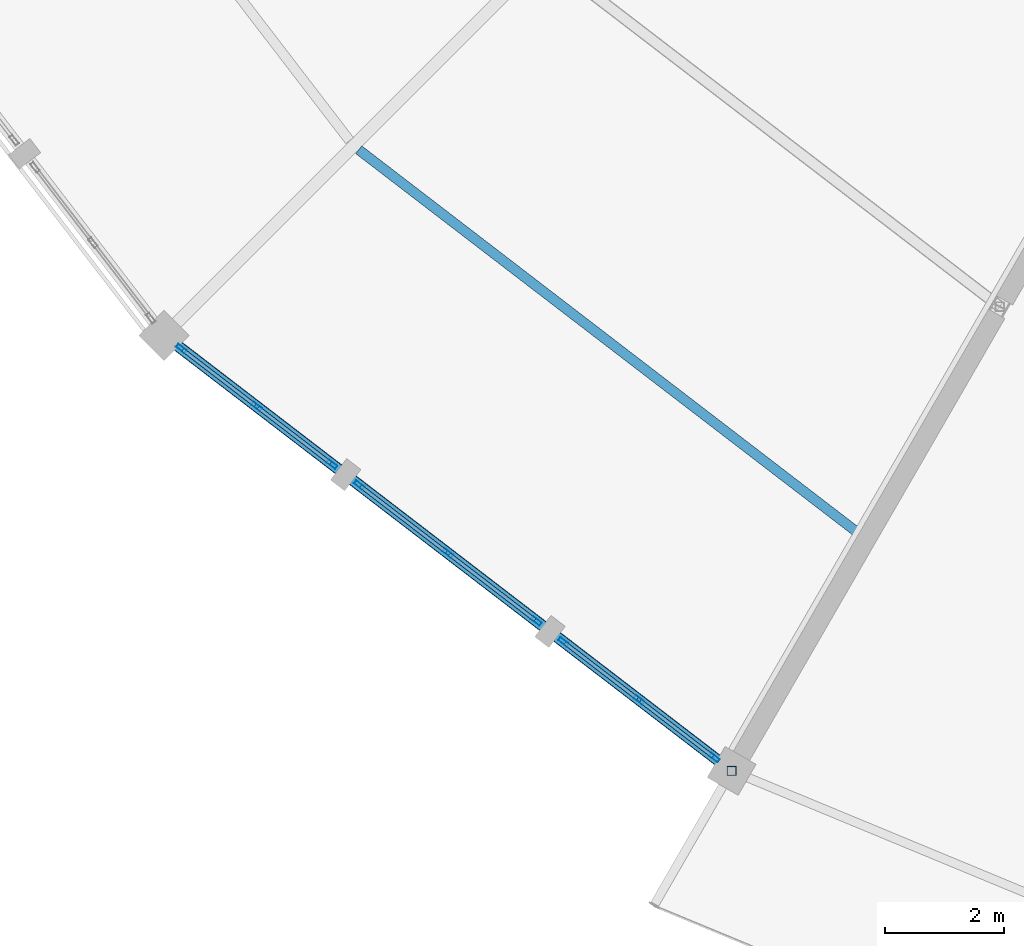
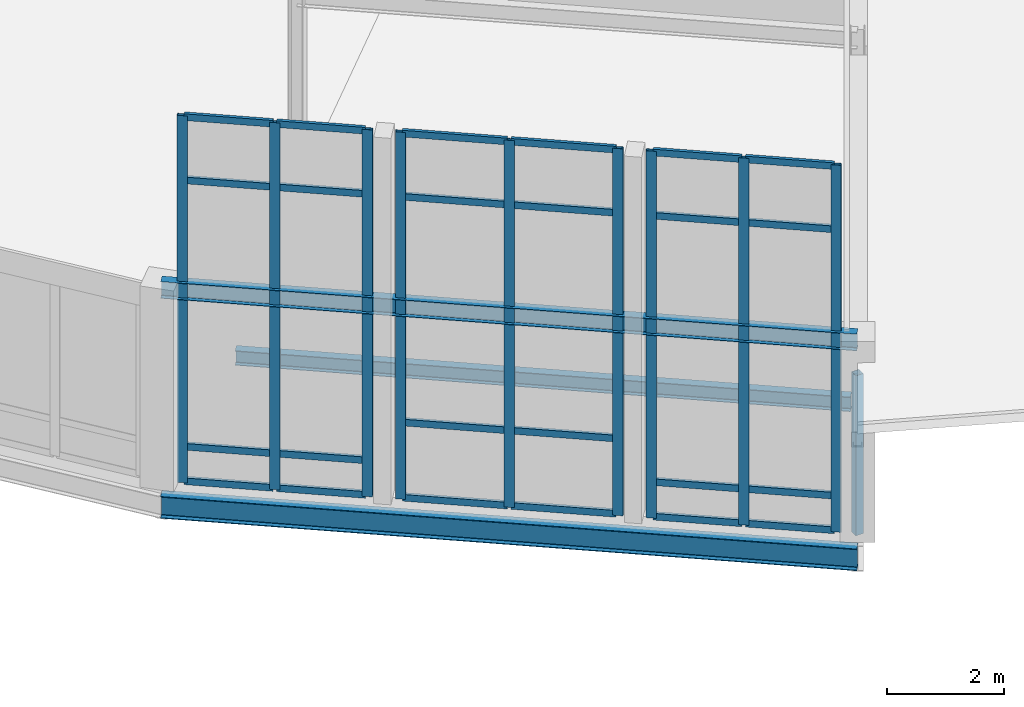
# One storey, part 43 of 185: 34 members, 3 beams, 3 elements without a shape of their own.
"""IFC4 building model written with IfcOpenShell, lengths in metres."""

from ifc_helpers import new_model, si_unit, direction, frame, origin, origin_2d, place, context, subcontext, project, spatial, hollow_rectangle, i_section, extrude, material, material_profile, profile_set, type_object, element, aggregate, save


model = new_model("IFC4")

# Units and contexts
model_context = context("Model", 3, precision=1e-05, world=origin(), true_north=direction((0.0, 1.0)))
body_context = subcontext(model_context, "Body", "Model", "MODEL_VIEW")
ifc_project = project(units=[si_unit("LENGTHUNIT", "METRE"), si_unit("AREAUNIT", "SQUARE_METRE"), si_unit("VOLUMEUNIT", "CUBIC_METRE"), si_unit("PLANEANGLEUNIT", "RADIAN"), si_unit("MASSUNIT", "GRAM", prefix="KILO")], contexts=[model_context])

# Site, building, storey
site_placement = place(None, origin())
site = spatial("IfcSite", under=ifc_project, at=site_placement, CompositionType="ELEMENT")
building_placement = place(site_placement, origin())
building = spatial("IfcBuilding", under=site, at=building_placement, Name="Vondelvale Polytechnic", CompositionType="ELEMENT")
storey_placement = place(building_placement, frame((0.0, 0.0, 9.60009765625)))
storey = spatial("IfcBuildingStorey", under=building, at=storey_placement, Name="L02", CompositionType="ELEMENT", Elevation=9.60009765625)

# Beams
ifc_material_1 = material(Name="Steel 300PLUS (fy = 300 MPa)", Category="steel")
ifc_material_profile_1 = material_profile(ifc_material_1, i_section(OverallWidth=0.1708984375, OverallDepth=0.35205078125, WebThickness=0.0068359375, FlangeThickness=0.009765625, FilletRadius=0.011474609375, at=origin_2d()), Name="360UB44.7")
ifc_profile_set_1 = profile_set([ifc_material_profile_1], Name="Steel 300PLUS (fy = 300 MPa)")
beam_type_1 = type_object("IfcBeamType", Name="BM-UB360L", PredefinedType="BEAM", material=ifc_profile_set_1)
beam_1_placement = place(storey_placement, frame((69.47314453125, 39.47314453125, 4.02392578125), z_axis=(0.793349743808, -0.608766116008, 0.0), x_axis=(0.608766116008, 0.793349743808, 0.0)))
element("IfcBeam", 1, at=beam_1_placement, inside=storey, type_object=beam_type_1, Name="L02 RE B-24", PredefinedType="BEAM", context=body_context, shape_type="SweptSolid", body=[
    extrude(i_section(OverallWidth=0.1708984375, OverallDepth=0.35205078125, WebThickness=0.0068359375, FlangeThickness=0.009765625, FilletRadius=0.011474609375, at=origin_2d()), origin(), (0.0, 0.0, 1.0), 12.00830078125),
])
ifc_material_profile_2 = material_profile(ifc_material_1, i_section(OverallWidth=0.18994140625, OverallDepth=0.45703125, WebThickness=0.009033203125, FlangeThickness=0.014404296875, FilletRadius=0.011474609375, at=origin_2d()), Name="460UB74.6")
ifc_profile_set_2 = profile_set([ifc_material_profile_2], Name="Steel 300PLUS (fy = 300 MPa)")
beam_type_2 = type_object("IfcBeamType", Name="BM-UB460", PredefinedType="BEAM", material=ifc_profile_set_2)
beam_2_placement = place(storey_placement, frame((69.47314453125, 39.47314453125, -0.508544921875), z_axis=(0.793349743808, -0.608766116008, 0.0), x_axis=(0.608766116008, 0.793349743808, 0.0)))
element("IfcBeam", 2, at=beam_2_placement, inside=storey, type_object=beam_type_2, Name="L02 RB B-13", PredefinedType="BEAM", context=body_context, shape_type="SweptSolid", body=[
    extrude(i_section(OverallWidth=0.18994140625, OverallDepth=0.45703125, WebThickness=0.009033203125, FlangeThickness=0.014404296875, FilletRadius=0.011474609375, at=origin_2d()), origin(), (0.0, 0.0, 1.0), 12.00830078125),
])

# Curtain wall, members
ifc_material_2 = material(Name="Glulam GL18 structural Tasmanian oak (fb = 42 MPa)", Category="wood")
curtain_wall_type = type_object("IfcCurtainWallType", Name="CW-RING-OUTER", PredefinedType="NOTDEFINED", material=ifc_material_2)
curtain_wall_1_placement = place(storey_placement, origin())
curtain_wall_1 = element("IfcCurtainWall", 3, at=curtain_wall_1_placement, inside=storey, type_object=curtain_wall_type, Name="L02 architectural curtain wall CW-04-322", PredefinedType="NOTDEFINED")
ifc_material_3 = material(Name="Anodised extruded aluminium 6063-T6", Category="aluminium")
ifc_material_profile_3 = material_profile(ifc_material_3, hollow_rectangle(XDim=0.06494140625, YDim=0.179931640625, WallThickness=0.00390625, at=origin_2d()), Name="CW-MUL-180x65")
ifc_profile_set_3 = profile_set([ifc_material_profile_3], Name="Anodised extruded aluminium 6063-T6")
member_type_1 = type_object("IfcMemberType", Name="CW-MUL-65x180", PredefinedType="MULLION", material=ifc_profile_set_3)
member_1_placement = place(storey_placement, frame((69.762939453125, 39.250732421875, 0.0), z_axis=(0.0, 0.0, 1.0), x_axis=(0.608786860133, 0.793333825656, 0.0)))
member_1 = element("IfcMember", 4, at=member_1_placement, type_object=member_type_1, Name="CW-04-322 mullion 1", PredefinedType="MULLION", context=body_context, shape_type="SweptSolid", body=[
    extrude(hollow_rectangle(XDim=0.06494140625, YDim=0.179931640625, WallThickness=0.00390625, at=origin_2d()), origin(), (0.0, 0.0, 1.0), 7.661376953125),
])
member_2_placement = place(storey_placement, frame((71.0283203125, 38.27978515625, 0.0), z_axis=(0.0, 0.0, 1.0), x_axis=(0.608786860133, 0.793333825656, 0.0)))
member_2 = element("IfcMember", 5, at=member_2_placement, type_object=member_type_1, Name="CW-04-322 mullion 2", PredefinedType="MULLION", context=body_context, shape_type="SweptSolid", body=[
    extrude(hollow_rectangle(XDim=0.06494140625, YDim=0.179931640625, WallThickness=0.00390625, at=origin_2d()), origin(), (0.0, 0.0, 1.0), 7.661376953125),
])
member_3_placement = place(storey_placement, frame((72.293701171875, 37.308837890625, 0.0), z_axis=(0.0, 0.0, 1.0), x_axis=(0.608786860133, 0.793333825656, 0.0)))
member_3 = element("IfcMember", 6, at=member_3_placement, type_object=member_type_1, Name="CW-04-322 mullion 3", PredefinedType="MULLION", context=body_context, shape_type="SweptSolid", body=[
    extrude(hollow_rectangle(XDim=0.06494140625, YDim=0.179931640625, WallThickness=0.00390625, at=origin_2d()), origin(), (0.0, 0.0, 1.0), 7.661376953125),
])

curtain_wall_2_placement = place(storey_placement, origin())
curtain_wall_2 = element("IfcCurtainWall", 7, at=curtain_wall_2_placement, inside=storey, type_object=curtain_wall_type, Name="L02 architectural curtain wall CW-04-323", PredefinedType="NOTDEFINED")
member_4_placement = place(storey_placement, frame((72.749755859375, 36.958740234375, 0.0), z_axis=(0.0, 0.0, 1.0), x_axis=(0.608771189063, 0.793345851043, 0.0)))
member_4 = element("IfcMember", 8, at=member_4_placement, type_object=member_type_1, Name="CW-04-323 mullion 1", PredefinedType="MULLION", context=body_context, shape_type="SweptSolid", body=[
    extrude(hollow_rectangle(XDim=0.06494140625, YDim=0.179931640625, WallThickness=0.00390625, at=origin_2d()), origin(), (0.0, 0.0, 1.0), 7.661376953125),
])
member_5_placement = place(storey_placement, frame((74.236572265625, 35.81787109375, 0.0), z_axis=(0.0, 0.0, 1.0), x_axis=(0.608771189063, 0.793345851043, 0.0)))
member_5 = element("IfcMember", 9, at=member_5_placement, type_object=member_type_1, Name="CW-04-323 mullion 2", PredefinedType="MULLION", context=body_context, shape_type="SweptSolid", body=[
    extrude(hollow_rectangle(XDim=0.06494140625, YDim=0.179931640625, WallThickness=0.00390625, at=origin_2d()), origin(), (0.0, 0.0, 1.0), 7.661376953125),
])
member_6_placement = place(storey_placement, frame((75.723388671875, 34.677001953125, 0.0), z_axis=(0.0, 0.0, 1.0), x_axis=(0.608771189063, 0.793345851043, 0.0)))
member_6 = element("IfcMember", 10, at=member_6_placement, type_object=member_type_1, Name="CW-04-323 mullion 3", PredefinedType="MULLION", context=body_context, shape_type="SweptSolid", body=[
    extrude(hollow_rectangle(XDim=0.06494140625, YDim=0.179931640625, WallThickness=0.00390625, at=origin_2d()), origin(), (0.0, 0.0, 1.0), 7.661376953125),
])

curtain_wall_3_placement = place(storey_placement, origin())
curtain_wall_3 = element("IfcCurtainWall", 11, at=curtain_wall_3_placement, inside=storey, type_object=curtain_wall_type, Name="L02 architectural curtain wall CW-04-324", PredefinedType="NOTDEFINED")
member_7_placement = place(storey_placement, frame((76.179443359375, 34.3271484375, 0.0), z_axis=(0.0, 0.0, 1.0), x_axis=(0.608786860133, 0.793333825656, 0.0)))
member_7 = element("IfcMember", 12, at=member_7_placement, type_object=member_type_1, Name="CW-04-324 mullion 1", PredefinedType="MULLION", context=body_context, shape_type="SweptSolid", body=[
    extrude(hollow_rectangle(XDim=0.06494140625, YDim=0.179931640625, WallThickness=0.00390625, at=origin_2d()), origin(), (0.0, 0.0, 1.0), 7.661376953125),
])
member_8_placement = place(storey_placement, frame((77.44482421875, 33.356201171875, 0.0), z_axis=(0.0, 0.0, 1.0), x_axis=(0.608786860133, 0.793333825656, 0.0)))
member_8 = element("IfcMember", 13, at=member_8_placement, type_object=member_type_1, Name="CW-04-324 mullion 2", PredefinedType="MULLION", context=body_context, shape_type="SweptSolid", body=[
    extrude(hollow_rectangle(XDim=0.06494140625, YDim=0.179931640625, WallThickness=0.00390625, at=origin_2d()), origin(), (0.0, 0.0, 1.0), 7.661376953125),
])
member_9_placement = place(storey_placement, frame((78.710205078125, 32.385009765625, 0.0), z_axis=(0.0, 0.0, 1.0), x_axis=(0.608786860133, 0.793333825656, 0.0)))
member_9 = element("IfcMember", 14, at=member_9_placement, type_object=member_type_1, Name="CW-04-324 mullion 3", PredefinedType="MULLION", context=body_context, shape_type="SweptSolid", body=[
    extrude(hollow_rectangle(XDim=0.06494140625, YDim=0.179931640625, WallThickness=0.00390625, at=origin_2d()), origin(), (0.0, 0.0, 1.0), 7.661376953125),
])

# Member
ifc_material_profile_4 = material_profile(ifc_material_3, hollow_rectangle(XDim=0.06005859375, YDim=0.139892578125, WallThickness=0.00341796875, at=origin_2d()), Name="CW-TRN-140x60")
ifc_profile_set_4 = profile_set([ifc_material_profile_4], Name="Anodised extruded aluminium 6063-T6")
member_type_2 = type_object("IfcMemberType", Name="CW-TRN-60x140", PredefinedType="USERDEFINED", material=ifc_profile_set_4)
member_10_placement = place(storey_placement, frame((69.78857421875, 39.23095703125, 0.02978515625), z_axis=(0.793364883229, -0.608746385664, 0.0), x_axis=(0.608746385664, 0.793364883229, 0.0)))
member_10 = element("IfcMember", 15, at=member_10_placement, type_object=member_type_2, Name="CW-04-322 transom 1.1", ObjectType="TRANSOM", PredefinedType="USERDEFINED", context=body_context, shape_type="SweptSolid", body=[
    extrude(hollow_rectangle(XDim=0.06005859375, YDim=0.139892578125, WallThickness=0.00341796875, at=origin_2d()), origin(), (0.0, 0.0, 1.0), 1.530029296875),
])

member_11_placement = place(storey_placement, frame((69.78857421875, 39.23095703125, 0.75), z_axis=(0.793364883229, -0.608746385664, 0.0), x_axis=(0.608746385664, 0.793364883229, 0.0)))
member_11 = element("IfcMember", 16, at=member_11_placement, type_object=member_type_2, Name="CW-04-322 transom 1.2", ObjectType="TRANSOM", PredefinedType="USERDEFINED", context=body_context, shape_type="SweptSolid", body=[
    extrude(hollow_rectangle(XDim=0.06005859375, YDim=0.139892578125, WallThickness=0.00341796875, at=origin_2d()), origin(), (0.0, 0.0, 1.0), 1.530029296875),
])

member_12_placement = place(storey_placement, frame((69.78857421875, 39.23095703125, 6.311279296875), z_axis=(0.793364883229, -0.608746385664, 0.0), x_axis=(0.608746385664, 0.793364883229, 0.0)))
member_12 = element("IfcMember", 17, at=member_12_placement, type_object=member_type_2, Name="CW-04-322 transom 1.3", ObjectType="TRANSOM", PredefinedType="USERDEFINED", context=body_context, shape_type="SweptSolid", body=[
    extrude(hollow_rectangle(XDim=0.06005859375, YDim=0.139892578125, WallThickness=0.00341796875, at=origin_2d()), origin(), (0.0, 0.0, 1.0), 1.530029296875),
])

member_13_placement = place(storey_placement, frame((69.78857421875, 39.23095703125, 7.63134765625), z_axis=(0.793364883229, -0.608746385664, 0.0), x_axis=(0.608746385664, 0.793364883229, 0.0)))
member_13 = element("IfcMember", 18, at=member_13_placement, type_object=member_type_2, Name="CW-04-322 transom 1.4", ObjectType="TRANSOM", PredefinedType="USERDEFINED", context=body_context, shape_type="SweptSolid", body=[
    extrude(hollow_rectangle(XDim=0.06005859375, YDim=0.139892578125, WallThickness=0.00341796875, at=origin_2d()), origin(), (0.0, 0.0, 1.0), 1.530029296875),
])

member_14_placement = place(storey_placement, frame((71.053955078125, 38.260009765625, 0.02978515625), z_axis=(0.793364883229, -0.608746385664, 0.0), x_axis=(0.608746385664, 0.793364883229, 0.0)))
member_14 = element("IfcMember", 19, at=member_14_placement, type_object=member_type_2, Name="CW-04-322 transom 2.1", ObjectType="TRANSOM", PredefinedType="USERDEFINED", context=body_context, shape_type="SweptSolid", body=[
    extrude(hollow_rectangle(XDim=0.06005859375, YDim=0.139892578125, WallThickness=0.00341796875, at=origin_2d()), origin(), (0.0, 0.0, 1.0), 1.530029296875),
])

member_15_placement = place(storey_placement, frame((71.053955078125, 38.260009765625, 0.75), z_axis=(0.793364883229, -0.608746385664, 0.0), x_axis=(0.608746385664, 0.793364883229, 0.0)))
member_15 = element("IfcMember", 20, at=member_15_placement, type_object=member_type_2, Name="CW-04-322 transom 2.2", ObjectType="TRANSOM", PredefinedType="USERDEFINED", context=body_context, shape_type="SweptSolid", body=[
    extrude(hollow_rectangle(XDim=0.06005859375, YDim=0.139892578125, WallThickness=0.00341796875, at=origin_2d()), origin(), (0.0, 0.0, 1.0), 1.530029296875),
])

member_16_placement = place(storey_placement, frame((71.053955078125, 38.260009765625, 6.311279296875), z_axis=(0.793364883229, -0.608746385664, 0.0), x_axis=(0.608746385664, 0.793364883229, 0.0)))
member_16 = element("IfcMember", 21, at=member_16_placement, type_object=member_type_2, Name="CW-04-322 transom 2.3", ObjectType="TRANSOM", PredefinedType="USERDEFINED", context=body_context, shape_type="SweptSolid", body=[
    extrude(hollow_rectangle(XDim=0.06005859375, YDim=0.139892578125, WallThickness=0.00341796875, at=origin_2d()), origin(), (0.0, 0.0, 1.0), 1.530029296875),
])

member_17_placement = place(storey_placement, frame((71.053955078125, 38.260009765625, 7.63134765625), z_axis=(0.793364883229, -0.608746385664, 0.0), x_axis=(0.608746385664, 0.793364883229, 0.0)))
member_17 = element("IfcMember", 22, at=member_17_placement, type_object=member_type_2, Name="CW-04-322 transom 2.4", ObjectType="TRANSOM", PredefinedType="USERDEFINED", context=body_context, shape_type="SweptSolid", body=[
    extrude(hollow_rectangle(XDim=0.06005859375, YDim=0.139892578125, WallThickness=0.00341796875, at=origin_2d()), origin(), (0.0, 0.0, 1.0), 1.530029296875),
])

aggregate(curtain_wall_1, [member_1, member_2, member_3, member_10, member_11, member_12, member_13, member_14, member_15, member_16, member_17])

member_18_placement = place(storey_placement, frame((72.775634765625, 36.93896484375, 0.02978515625), z_axis=(0.793310842007, -0.608816809849, 0.0), x_axis=(0.608816809849, 0.793310842007, 0.0)))
member_18 = element("IfcMember", 23, at=member_18_placement, type_object=member_type_2, Name="CW-04-323 transom 1.1", ObjectType="TRANSOM", PredefinedType="USERDEFINED", context=body_context, shape_type="SweptSolid", body=[
    extrude(hollow_rectangle(XDim=0.06005859375, YDim=0.139892578125, WallThickness=0.00341796875, at=origin_2d()), origin(), (0.0, 0.0, 1.0), 1.808837890625),
])

member_19_placement = place(storey_placement, frame((72.775634765625, 36.93896484375, 1.599853515625), z_axis=(0.793310842007, -0.608816809849, 0.0), x_axis=(0.608816809849, 0.793310842007, 0.0)))
member_19 = element("IfcMember", 24, at=member_19_placement, type_object=member_type_2, Name="CW-04-323 transom 1.2", ObjectType="TRANSOM", PredefinedType="USERDEFINED", context=body_context, shape_type="SweptSolid", body=[
    extrude(hollow_rectangle(XDim=0.06005859375, YDim=0.139892578125, WallThickness=0.00341796875, at=origin_2d()), origin(), (0.0, 0.0, 1.0), 1.808837890625),
])

member_20_placement = place(storey_placement, frame((72.775634765625, 36.93896484375, 6.311279296875), z_axis=(0.793310842007, -0.608816809849, 0.0), x_axis=(0.608816809849, 0.793310842007, 0.0)))
member_20 = element("IfcMember", 25, at=member_20_placement, type_object=member_type_2, Name="CW-04-323 transom 1.3", ObjectType="TRANSOM", PredefinedType="USERDEFINED", context=body_context, shape_type="SweptSolid", body=[
    extrude(hollow_rectangle(XDim=0.06005859375, YDim=0.139892578125, WallThickness=0.00341796875, at=origin_2d()), origin(), (0.0, 0.0, 1.0), 1.808837890625),
])

member_21_placement = place(storey_placement, frame((72.775634765625, 36.93896484375, 7.63134765625), z_axis=(0.793310842007, -0.608816809849, 0.0), x_axis=(0.608816809849, 0.793310842007, 0.0)))
member_21 = element("IfcMember", 26, at=member_21_placement, type_object=member_type_2, Name="CW-04-323 transom 1.4", ObjectType="TRANSOM", PredefinedType="USERDEFINED", context=body_context, shape_type="SweptSolid", body=[
    extrude(hollow_rectangle(XDim=0.06005859375, YDim=0.139892578125, WallThickness=0.00341796875, at=origin_2d()), origin(), (0.0, 0.0, 1.0), 1.808837890625),
])

member_22_placement = place(storey_placement, frame((74.262451171875, 35.798095703125, 0.02978515625), z_axis=(0.793310842007, -0.608816809849, 0.0), x_axis=(0.608816809849, 0.793310842007, 0.0)))
member_22 = element("IfcMember", 27, at=member_22_placement, type_object=member_type_2, Name="CW-04-323 transom 2.1", ObjectType="TRANSOM", PredefinedType="USERDEFINED", context=body_context, shape_type="SweptSolid", body=[
    extrude(hollow_rectangle(XDim=0.06005859375, YDim=0.139892578125, WallThickness=0.00341796875, at=origin_2d()), origin(), (0.0, 0.0, 1.0), 1.808837890625),
])

member_23_placement = place(storey_placement, frame((74.262451171875, 35.798095703125, 1.599853515625), z_axis=(0.793310842007, -0.608816809849, 0.0), x_axis=(0.608816809849, 0.793310842007, 0.0)))
member_23 = element("IfcMember", 28, at=member_23_placement, type_object=member_type_2, Name="CW-04-323 transom 2.2", ObjectType="TRANSOM", PredefinedType="USERDEFINED", context=body_context, shape_type="SweptSolid", body=[
    extrude(hollow_rectangle(XDim=0.06005859375, YDim=0.139892578125, WallThickness=0.00341796875, at=origin_2d()), origin(), (0.0, 0.0, 1.0), 1.808837890625),
])

member_24_placement = place(storey_placement, frame((74.262451171875, 35.798095703125, 6.311279296875), z_axis=(0.793310842007, -0.608816809849, 0.0), x_axis=(0.608816809849, 0.793310842007, 0.0)))
member_24 = element("IfcMember", 29, at=member_24_placement, type_object=member_type_2, Name="CW-04-323 transom 2.3", ObjectType="TRANSOM", PredefinedType="USERDEFINED", context=body_context, shape_type="SweptSolid", body=[
    extrude(hollow_rectangle(XDim=0.06005859375, YDim=0.139892578125, WallThickness=0.00341796875, at=origin_2d()), origin(), (0.0, 0.0, 1.0), 1.808837890625),
])

member_25_placement = place(storey_placement, frame((74.262451171875, 35.798095703125, 7.63134765625), z_axis=(0.793310842007, -0.608816809849, 0.0), x_axis=(0.608816809849, 0.793310842007, 0.0)))
member_25 = element("IfcMember", 30, at=member_25_placement, type_object=member_type_2, Name="CW-04-323 transom 2.4", ObjectType="TRANSOM", PredefinedType="USERDEFINED", context=body_context, shape_type="SweptSolid", body=[
    extrude(hollow_rectangle(XDim=0.06005859375, YDim=0.139892578125, WallThickness=0.00341796875, at=origin_2d()), origin(), (0.0, 0.0, 1.0), 1.808837890625),
])

aggregate(curtain_wall_2, [member_4, member_5, member_6, member_18, member_19, member_20, member_21, member_22, member_23, member_24, member_25])

member_26_placement = place(storey_placement, frame((76.205322265625, 34.307373046875, 0.02978515625), z_axis=(0.793305741078, -0.60882345649, 0.0), x_axis=(0.60882345649, 0.793305741078, 0.0)))
member_26 = element("IfcMember", 31, at=member_26_placement, type_object=member_type_2, Name="CW-04-324 transom 1.1", ObjectType="TRANSOM", PredefinedType="USERDEFINED", context=body_context, shape_type="SweptSolid", body=[
    extrude(hollow_rectangle(XDim=0.06005859375, YDim=0.139892578125, WallThickness=0.00341796875, at=origin_2d()), origin(), (0.0, 0.0, 1.0), 1.52978515625),
])

member_27_placement = place(storey_placement, frame((76.205322265625, 34.307373046875, 0.75), z_axis=(0.793305741078, -0.60882345649, 0.0), x_axis=(0.60882345649, 0.793305741078, 0.0)))
member_27 = element("IfcMember", 32, at=member_27_placement, type_object=member_type_2, Name="CW-04-324 transom 1.2", ObjectType="TRANSOM", PredefinedType="USERDEFINED", context=body_context, shape_type="SweptSolid", body=[
    extrude(hollow_rectangle(XDim=0.06005859375, YDim=0.139892578125, WallThickness=0.00341796875, at=origin_2d()), origin(), (0.0, 0.0, 1.0), 1.52978515625),
])

member_28_placement = place(storey_placement, frame((76.205322265625, 34.307373046875, 6.311279296875), z_axis=(0.793305741078, -0.60882345649, 0.0), x_axis=(0.60882345649, 0.793305741078, 0.0)))
member_28 = element("IfcMember", 33, at=member_28_placement, type_object=member_type_2, Name="CW-04-324 transom 1.3", ObjectType="TRANSOM", PredefinedType="USERDEFINED", context=body_context, shape_type="SweptSolid", body=[
    extrude(hollow_rectangle(XDim=0.06005859375, YDim=0.139892578125, WallThickness=0.00341796875, at=origin_2d()), origin(), (0.0, 0.0, 1.0), 1.52978515625),
])

member_29_placement = place(storey_placement, frame((76.205322265625, 34.307373046875, 7.63134765625), z_axis=(0.793305741078, -0.60882345649, 0.0), x_axis=(0.60882345649, 0.793305741078, 0.0)))
member_29 = element("IfcMember", 34, at=member_29_placement, type_object=member_type_2, Name="CW-04-324 transom 1.4", ObjectType="TRANSOM", PredefinedType="USERDEFINED", context=body_context, shape_type="SweptSolid", body=[
    extrude(hollow_rectangle(XDim=0.06005859375, YDim=0.139892578125, WallThickness=0.00341796875, at=origin_2d()), origin(), (0.0, 0.0, 1.0), 1.52978515625),
])

member_30_placement = place(storey_placement, frame((77.470703125, 33.33642578125, 0.02978515625), z_axis=(0.7932286645, -0.608923875222, 0.0), x_axis=(0.608923875222, 0.7932286645, 0.0)))
member_30 = element("IfcMember", 35, at=member_30_placement, type_object=member_type_2, Name="CW-04-324 transom 2.1", ObjectType="TRANSOM", PredefinedType="USERDEFINED", context=body_context, shape_type="SweptSolid", body=[
    extrude(hollow_rectangle(XDim=0.06005859375, YDim=0.139892578125, WallThickness=0.00341796875, at=origin_2d()), origin(), (0.0, 0.0, 1.0), 1.530029296875),
])

member_31_placement = place(storey_placement, frame((77.470703125, 33.33642578125, 0.75), z_axis=(0.7932286645, -0.608923875222, 0.0), x_axis=(0.608923875222, 0.7932286645, 0.0)))
member_31 = element("IfcMember", 36, at=member_31_placement, type_object=member_type_2, Name="CW-04-324 transom 2.2", ObjectType="TRANSOM", PredefinedType="USERDEFINED", context=body_context, shape_type="SweptSolid", body=[
    extrude(hollow_rectangle(XDim=0.06005859375, YDim=0.139892578125, WallThickness=0.00341796875, at=origin_2d()), origin(), (0.0, 0.0, 1.0), 1.530029296875),
])

member_32_placement = place(storey_placement, frame((77.470703125, 33.33642578125, 6.311279296875), z_axis=(0.7932286645, -0.608923875222, 0.0), x_axis=(0.608923875222, 0.7932286645, 0.0)))
member_32 = element("IfcMember", 37, at=member_32_placement, type_object=member_type_2, Name="CW-04-324 transom 2.3", ObjectType="TRANSOM", PredefinedType="USERDEFINED", context=body_context, shape_type="SweptSolid", body=[
    extrude(hollow_rectangle(XDim=0.06005859375, YDim=0.139892578125, WallThickness=0.00341796875, at=origin_2d()), origin(), (0.0, 0.0, 1.0), 1.530029296875),
])

member_33_placement = place(storey_placement, frame((77.470703125, 33.33642578125, 7.63134765625), z_axis=(0.7932286645, -0.608923875222, 0.0), x_axis=(0.608923875222, 0.7932286645, 0.0)))
member_33 = element("IfcMember", 38, at=member_33_placement, type_object=member_type_2, Name="CW-04-324 transom 2.4", ObjectType="TRANSOM", PredefinedType="USERDEFINED", context=body_context, shape_type="SweptSolid", body=[
    extrude(hollow_rectangle(XDim=0.06005859375, YDim=0.139892578125, WallThickness=0.00341796875, at=origin_2d()), origin(), (0.0, 0.0, 1.0), 1.530029296875),
])

aggregate(curtain_wall_3, [member_7, member_8, member_9, member_26, member_27, member_28, member_29, member_30, member_31, member_32, member_33])

# Beam
ifc_material_profile_5 = material_profile(ifc_material_1, i_section(OverallWidth=0.1650390625, OverallDepth=0.303955078125, WebThickness=0.006103515625, FlangeThickness=0.01025390625, FilletRadius=0.011474609375, at=origin_2d()), Name="310UB40.4")
ifc_profile_set_5 = profile_set([ifc_material_profile_5], Name="Steel 300PLUS (fy = 300 MPa)")
beam_type_3 = type_object("IfcBeamType", Name="JST-UB310", PredefinedType="JOIST", material=ifc_profile_set_5)
beam_3_placement = place(storey_placement, frame((72.742431640625, 42.588134765625, -0.43212890625), z_axis=(0.793346013368, -0.608770977523, 0.0), x_axis=(0.608770977523, 0.793346013368, 0.0)))
element("IfcBeam", 39, at=beam_3_placement, inside=storey, type_object=beam_type_3, Name="L02 RJ J-05", PredefinedType="JOIST", context=body_context, shape_type="SweptSolid", body=[
    extrude(i_section(OverallWidth=0.1650390625, OverallDepth=0.303955078125, WebThickness=0.006103515625, FlangeThickness=0.01025390625, FilletRadius=0.011474609375, at=origin_2d()), origin(), (0.0, 0.0, 1.0), 10.613525390625),
])

# Member
ifc_material_4 = material(Name="Steel C350L0 (fy = 350 MPa)", Category="steel")
ifc_material_profile_6 = material_profile(ifc_material_4, hollow_rectangle(XDim=0.14990234375, YDim=0.14990234375, WallThickness=0.006103515625, at=origin_2d()), Name="150x150x6.0SHS")
ifc_profile_set_6 = profile_set([ifc_material_profile_6], Name="Steel C350L0 (fy = 350 MPa)")
member_type_3 = type_object("IfcMemberType", Name="ROOF TRUSS POST 150SHS", PredefinedType="POST", material=ifc_profile_set_6)
member_34_placement = place(storey_placement, frame((79.0, 32.162841796875, 0.0), z_axis=(0.0, 0.0, 1.0), x_axis=(1.0, 0.0, 0.0)))
element("IfcMember", 40, at=member_34_placement, inside=storey, type_object=member_type_3, Name="Ring outer roof post 16", PredefinedType="POST", context=body_context, shape_type="SweptSolid", body=[
    extrude(hollow_rectangle(XDim=0.14990234375, YDim=0.14990234375, WallThickness=0.006103515625, at=origin_2d()), origin(), (0.0, 0.0, 1.0), 3.339599609375),
])

save(model, "model.ifc")
